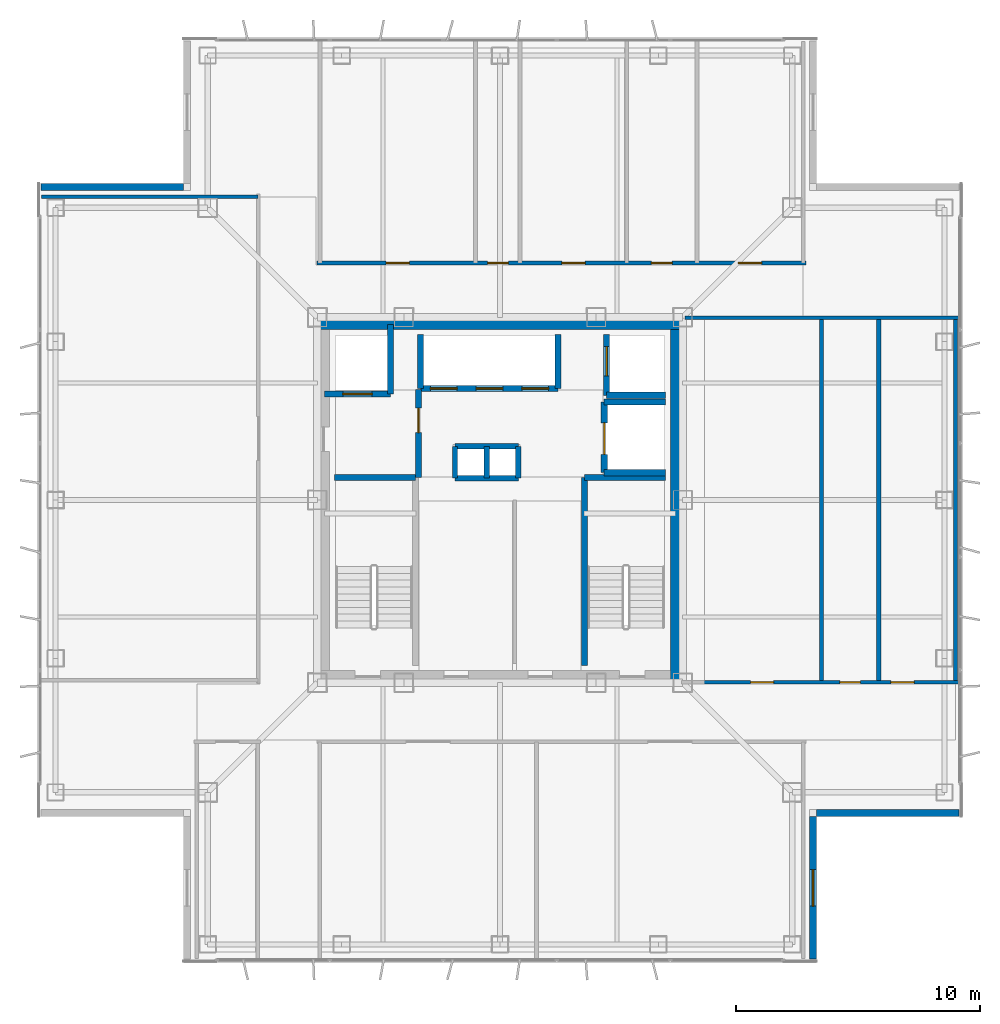
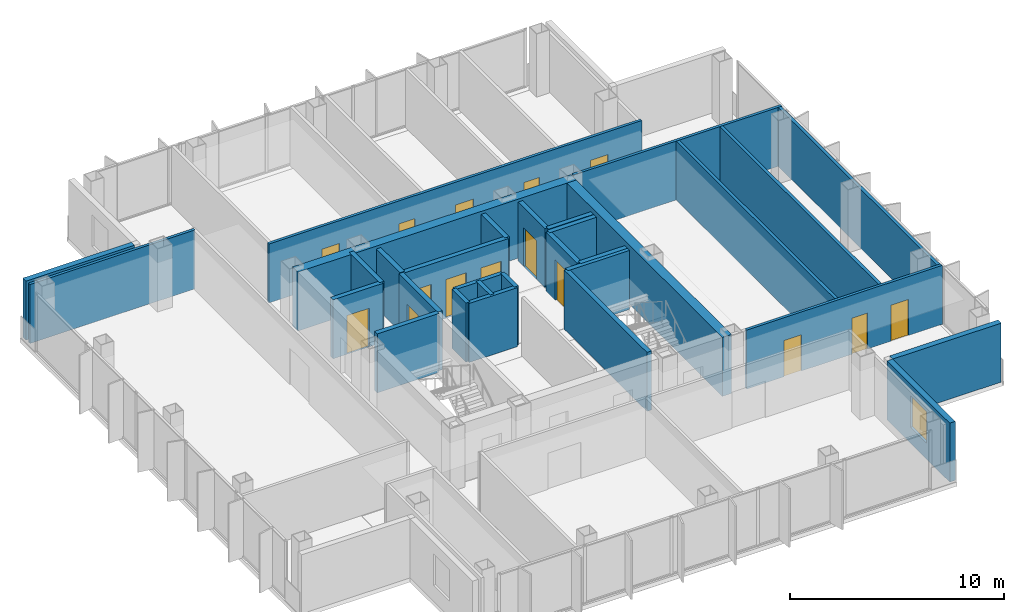
# One storey, part 8 of 15: 31 walls, 15 doors, 1 window, 16 openings.
"""IFC4 building model written with IfcOpenShell, lengths in metres."""

from ifc_helpers import new_model, si_unit, direction, frame, frame_2d, origin, place, context, subcontext, project, spatial, rectangle, extrude, material, layer, layer_set, type_object, element, fill, save


model = new_model("IFC4")

# Units and contexts
model_context = context("Model", 3, precision=1e-05, world=origin(), true_north=direction((0.0, 1.0)))
body_context = subcontext(model_context, "Body", "Model", "MODEL_VIEW")
ifc_project = project(units=[si_unit("LENGTHUNIT", "METRE"), si_unit("AREAUNIT", "SQUARE_METRE"), si_unit("VOLUMEUNIT", "CUBIC_METRE"), si_unit("PLANEANGLEUNIT", "RADIAN"), si_unit("MASSUNIT", "GRAM", prefix="KILO")], contexts=[model_context])

# Site, building, storey
site_placement = place(None, origin())
site = spatial("IfcSite", under=ifc_project, at=site_placement, CompositionType="ELEMENT")
building_placement = place(site_placement, origin())
building = spatial("IfcBuilding", under=site, at=building_placement, Name="Trevonay Congress Spire", CompositionType="ELEMENT")
storey_placement = place(building_placement, frame((0.0, 0.0, 272.0)))
storey = spatial("IfcBuildingStorey", under=building, at=storey_placement, Name="L71", CompositionType="ELEMENT", Elevation=272.0)

# Walls
ifc_material_1 = material(Name="Concrete C50/60", Category="concrete")
ifc_layer_1 = layer(ifc_material_1, 0.5, Name="Concrete C50/60")
ifc_layer_set_1 = layer_set([ifc_layer_1], Name="Concrete C50/60")
wall_type_1 = type_object("IfcWallType", Name="WAL-CORE-500", PredefinedType="SHEAR", material=ifc_layer_set_1)
for number, where, z_axis, x_axis, name in (
    (1, (-7.5, 7.25, 0.0), (0.0, 0.0, 1.0), (1.0, 0.0, 0.0), "L71 North structural core shear wall"),
    (2, (7.25, -7.5, 0.0), (0.0, 0.0, 1.0), (0.0, 1.0, 0.0), "L71 East structural core shear wall"),
):
    element("IfcWall", number, at=place(storey_placement, frame(where, z_axis=z_axis, x_axis=x_axis)), inside=storey, type_object=wall_type_1, Name=name, PredefinedType="SHEAR", context=body_context, shape_type="SweptSolid", body=[
        extrude(rectangle(XDim=15.0, YDim=0.5, at=frame_2d((7.5, 0.0))), origin(), (0.0, 0.0, 1.0), 3.360107421875),
    ])

# Wall, openings, doors
ifc_material_2 = material(Name="Concrete C40/50", Category="concrete")
ifc_layer_2 = layer(ifc_material_2, 0.14990234375, Name="Concrete C40/50")
ifc_layer_set_2 = layer_set([ifc_layer_2], Name="Concrete C40/50")
wall_type_2 = type_object("IfcWallType", Name="WAL-CORR-150", PredefinedType="PARTITIONING", material=ifc_layer_set_2)
wall_1_placement = place(storey_placement, frame((-7.52001953125, 9.72998046875, 0.0), z_axis=(0.0, 0.0, 1.0), x_axis=(1.0, 0.0, 0.0)))
wall_1 = element("IfcWall", 3, at=wall_1_placement, inside=storey, type_object=wall_type_2, Name="L71 interior wall WP-L71N-COR", PredefinedType="PARTITIONING", context=body_context, shape_type="SweptSolid", body=[
    extrude(rectangle(XDim=20.090087890625, YDim=0.14990234375, at=frame_2d((10.044921875, 0.0))), origin(), (0.0, 0.0, 1.0), 3.360107421875),
])
opening_1_placement = place(wall_1_placement, frame((2.844970703125, 0.0, 0.0)))
opening_1 = element("IfcOpeningElement", 4, at=opening_1_placement, cuts=wall_1, Name="Opening D07", PredefinedType="OPENING", context=body_context, shape_type="SweptSolid", body=[
    extrude(rectangle(XDim=0.949951171875, YDim=2.06005859375, at=frame_2d((0.47509765625, 1.030029296875))), frame((0.0, 0.0849609375, 0.0), z_axis=(0.0, -1.0, 0.0), x_axis=(1.0, 0.0, 0.0)), (0.0, 0.0, 1.0), 0.169921875),
])
opening_2_placement = place(wall_1_placement, frame((7.010009765625, 0.0, 0.0)))
opening_2 = element("IfcOpeningElement", 5, at=opening_2_placement, cuts=wall_1, Name="Opening D10", PredefinedType="OPENING", context=body_context, shape_type="SweptSolid", body=[
    extrude(rectangle(XDim=0.85009765625, YDim=2.050048828125, at=frame_2d((0.425048828125, 1.02490234375))), frame((0.0, 0.0849609375, 0.0), z_axis=(0.0, -1.0, 0.0), x_axis=(1.0, 0.0, 0.0)), (0.0, 0.0, 1.0), 0.169921875),
])
opening_3_placement = place(wall_1_placement, frame((10.06005859375, 0.0, 0.0)))
opening_3 = element("IfcOpeningElement", 6, at=opening_3_placement, cuts=wall_1, Name="Opening D07", PredefinedType="OPENING", context=body_context, shape_type="SweptSolid", body=[
    extrude(rectangle(XDim=0.949951171875, YDim=2.06005859375, at=frame_2d((0.47509765625, 1.030029296875))), frame((0.0, 0.0849609375, 0.0), z_axis=(0.0, -1.0, 0.0), x_axis=(1.0, 0.0, 0.0)), (0.0, 0.0, 1.0), 0.169921875),
])
opening_4_placement = place(wall_1_placement, frame((13.735107421875, 0.0, 0.0)))
opening_4 = element("IfcOpeningElement", 7, at=opening_4_placement, cuts=wall_1, Name="Opening D10", PredefinedType="OPENING", context=body_context, shape_type="SweptSolid", body=[
    extrude(rectangle(XDim=0.85009765625, YDim=2.050048828125, at=frame_2d((0.425048828125, 1.02490234375))), frame((0.0, 0.0849609375, 0.0), z_axis=(0.0, -1.0, 0.0), x_axis=(1.0, 0.0, 0.0)), (0.0, 0.0, 1.0), 0.169921875),
])
opening_5_placement = place(wall_1_placement, frame((17.31005859375, 0.0, 0.0)))
opening_5 = element("IfcOpeningElement", 8, at=opening_5_placement, cuts=wall_1, Name="Opening D07", PredefinedType="OPENING", context=body_context, shape_type="SweptSolid", body=[
    extrude(rectangle(XDim=0.949951171875, YDim=2.06005859375, at=frame_2d((0.47509765625, 1.030029296875))), frame((0.0, 0.0849609375, 0.0), z_axis=(0.0, -1.0, 0.0), x_axis=(1.0, 0.0, 0.0)), (0.0, 0.0, 1.0), 0.169921875),
])
ifc_material_3 = material(Name="Pale Anodised Aluminium EN AW-6063-T6", Category="aluminium")
door_type_1 = type_object("IfcDoorType", Name="DOR-OFFICE-95", OperationType="NOTDEFINED", PredefinedType="DOOR", material=ifc_material_3)
door_1_placement = place(opening_1_placement, origin())
door_1 = element("IfcDoor", 9, at=door_1_placement, inside=storey, type_object=door_type_1, Name="L71 North Sky Conservatory Lounge Door", OperationType="SINGLE_SWING_LEFT", OverallHeight=2.06005859375, OverallWidth=0.949951171875, PredefinedType="DOOR", context=body_context, shape_type="SweptSolid", body=[
    extrude(rectangle(XDim=0.949951171875, YDim=2.06005859375, at=frame_2d((0.47509765625, 1.030029296875))), frame((0.0, 0.02490234375, 0.0), z_axis=(0.0, -1.0, 0.0), x_axis=(1.0, 0.0, 0.0)), (0.0, 0.0, 1.0), 0.050048828125),
])
fill(opening_1, door_1)
door_2_placement = place(opening_3_placement, origin())
door_2 = element("IfcDoor", 10, at=door_2_placement, inside=storey, type_object=door_type_1, Name="L71 Floor Supplies and Copy Room Door", OperationType="SINGLE_SWING_LEFT", OverallHeight=2.06005859375, OverallWidth=0.949951171875, PredefinedType="DOOR", context=body_context, shape_type="SweptSolid", body=[
    extrude(rectangle(XDim=0.949951171875, YDim=2.06005859375, at=frame_2d((0.47509765625, 1.030029296875))), frame((0.0, 0.02490234375, 0.0), z_axis=(0.0, -1.0, 0.0), x_axis=(1.0, 0.0, 0.0)), (0.0, 0.0, 1.0), 0.050048828125),
])
fill(opening_3, door_2)
door_3_placement = place(opening_5_placement, origin())
door_3 = element("IfcDoor", 11, at=door_3_placement, inside=storey, type_object=door_type_1, Name="L71 Floor Supplies and Copy Room Door", OperationType="SINGLE_SWING_LEFT", OverallHeight=2.06005859375, OverallWidth=0.949951171875, PredefinedType="DOOR", context=body_context, shape_type="SweptSolid", body=[
    extrude(rectangle(XDim=0.949951171875, YDim=2.06005859375, at=frame_2d((0.47509765625, 1.030029296875))), frame((0.0, 0.02490234375, 0.0), z_axis=(0.0, -1.0, 0.0), x_axis=(1.0, 0.0, 0.0)), (0.0, 0.0, 1.0), 0.050048828125),
])
fill(opening_5, door_3)
door_type_2 = type_object("IfcDoorType", Name="DOR-WC-85", OperationType="NOTDEFINED", PredefinedType="DOOR", material=ifc_material_3)
door_4_placement = place(opening_2_placement, origin())
door_4 = element("IfcDoor", 12, at=door_4_placement, inside=storey, type_object=door_type_2, Name="L71 Accessible WC Door", OperationType="SINGLE_SWING_RIGHT", OverallHeight=2.050048828125, OverallWidth=0.85009765625, PredefinedType="DOOR", context=body_context, shape_type="SweptSolid", body=[
    extrude(rectangle(XDim=0.85009765625, YDim=2.050048828125, at=frame_2d((0.425048828125, 1.02490234375))), frame((0.0, 0.02490234375, 0.0), z_axis=(0.0, -1.0, 0.0), x_axis=(1.0, 0.0, 0.0)), (0.0, 0.0, 1.0), 0.050048828125),
])
fill(opening_2, door_4)
door_5_placement = place(opening_4_placement, origin())
door_5 = element("IfcDoor", 13, at=door_5_placement, inside=storey, type_object=door_type_2, Name="L71 Female Restroom WC Door", OperationType="SINGLE_SWING_RIGHT", OverallHeight=2.050048828125, OverallWidth=0.85009765625, PredefinedType="DOOR", context=body_context, shape_type="SweptSolid", body=[
    extrude(rectangle(XDim=0.85009765625, YDim=2.050048828125, at=frame_2d((0.425048828125, 1.02490234375))), frame((0.0, 0.02490234375, 0.0), z_axis=(0.0, -1.0, 0.0), x_axis=(1.0, 0.0, 0.0)), (0.0, 0.0, 1.0), 0.050048828125),
])
fill(opening_4, door_5)

wall_2_placement = place(storey_placement, frame((8.280029296875, -7.47998046875, 0.0), z_axis=(0.0, 0.0, 1.0), x_axis=(1.0, 0.0, 0.0)))
wall_2 = element("IfcWall", 14, at=wall_2_placement, inside=storey, type_object=wall_type_2, Name="L71 interior wall WP-L71E-COR", PredefinedType="PARTITIONING", context=body_context, shape_type="SweptSolid", body=[
    extrude(rectangle(XDim=10.5400390625, YDim=0.14990234375, at=frame_2d((5.27001953125, 0.0))), origin(), (0.0, 0.0, 1.0), 3.360107421875),
])
opening_6_placement = place(wall_2_placement, frame((2.0048828125, 0.0, 0.0)))
opening_6 = element("IfcOpeningElement", 15, at=opening_6_placement, cuts=wall_2, Name="Opening D07", PredefinedType="OPENING", context=body_context, shape_type="SweptSolid", body=[
    extrude(rectangle(XDim=0.949951171875, YDim=2.06005859375, at=frame_2d((0.47509765625, 1.030029296875))), frame((0.0, 0.0849609375, 0.0), z_axis=(0.0, -1.0, 0.0), x_axis=(1.0, 0.0, 0.0)), (0.0, 0.0, 1.0), 0.169921875),
])
opening_7_placement = place(wall_2_placement, frame((5.669921875, 0.0, 0.0)))
opening_7 = element("IfcOpeningElement", 16, at=opening_7_placement, cuts=wall_2, Name="Opening D10", PredefinedType="OPENING", context=body_context, shape_type="SweptSolid", body=[
    extrude(rectangle(XDim=0.85009765625, YDim=2.050048828125, at=frame_2d((0.425048828125, 1.02490234375))), frame((0.0, 0.0849609375, 0.0), z_axis=(0.0, -1.0, 0.0), x_axis=(1.0, 0.0, 0.0)), (0.0, 0.0, 1.0), 0.169921875),
])
opening_8_placement = place(wall_2_placement, frame((7.77001953125, 0.0, 0.0)))
opening_8 = element("IfcOpeningElement", 17, at=opening_8_placement, cuts=wall_2, Name="Opening D07", PredefinedType="OPENING", context=body_context, shape_type="SweptSolid", body=[
    extrude(rectangle(XDim=0.949951171875, YDim=2.06005859375, at=frame_2d((0.47509765625, 1.030029296875))), frame((0.0, 0.0849609375, 0.0), z_axis=(0.0, -1.0, 0.0), x_axis=(1.0, 0.0, 0.0)), (0.0, 0.0, 1.0), 0.169921875),
])
door_6_placement = place(opening_6_placement, origin())
door_6 = element("IfcDoor", 18, at=door_6_placement, inside=storey, type_object=door_type_1, Name="L71 Curatorial Archive Office Door", OperationType="SINGLE_SWING_RIGHT", OverallHeight=2.06005859375, OverallWidth=0.949951171875, PredefinedType="DOOR", context=body_context, shape_type="SweptSolid", body=[
    extrude(rectangle(XDim=0.949951171875, YDim=2.06005859375, at=frame_2d((0.47509765625, 1.030029296875))), frame((0.0, 0.02490234375, 0.0), z_axis=(0.0, -1.0, 0.0), x_axis=(1.0, 0.0, 0.0)), (0.0, 0.0, 1.0), 0.050048828125),
])
fill(opening_6, door_6)
door_7_placement = place(opening_8_placement, origin())
door_7 = element("IfcDoor", 19, at=door_7_placement, inside=storey, type_object=door_type_1, Name="L71 Floor Supplies and Copy Room Door", OperationType="SINGLE_SWING_RIGHT", OverallHeight=2.06005859375, OverallWidth=0.949951171875, PredefinedType="DOOR", context=body_context, shape_type="SweptSolid", body=[
    extrude(rectangle(XDim=0.949951171875, YDim=2.06005859375, at=frame_2d((0.47509765625, 1.030029296875))), frame((0.0, 0.02490234375, 0.0), z_axis=(0.0, -1.0, 0.0), x_axis=(1.0, 0.0, 0.0)), (0.0, 0.0, 1.0), 0.050048828125),
])
fill(opening_8, door_7)
door_8_placement = place(opening_7_placement, origin())
door_8 = element("IfcDoor", 20, at=door_8_placement, inside=storey, type_object=door_type_2, Name="L71 Male Restroom WC Door", OperationType="SINGLE_SWING_LEFT", OverallHeight=2.050048828125, OverallWidth=0.85009765625, PredefinedType="DOOR", context=body_context, shape_type="SweptSolid", body=[
    extrude(rectangle(XDim=0.85009765625, YDim=2.050048828125, at=frame_2d((0.425048828125, 1.02490234375))), frame((0.0, 0.02490234375, 0.0), z_axis=(0.0, -1.0, 0.0), x_axis=(1.0, 0.0, 0.0)), (0.0, 0.0, 1.0), 0.050048828125),
])
fill(opening_7, door_8)

# Wall, opening, window
ifc_material_4 = material(Name="Precast concrete C40/50", Category="concrete")
ifc_layer_3 = layer(ifc_material_4, 0.300048828125, Name="Precast concrete C40/50")
ifc_layer_set_3 = layer_set([ifc_layer_3], Name="Precast concrete C40/50")
wall_type_3 = type_object("IfcWallType", Name="WAL-EXT-PRECAST-300", PredefinedType="SOLIDWALL", material=ifc_layer_set_3)
wall_3_placement = place(storey_placement, frame((12.85009765625, -18.85009765625, 0.0), z_axis=(0.0, 0.0, 1.0), x_axis=(0.0, 1.0, 0.0)))
wall_3 = element("IfcWall", 21, at=wall_3_placement, inside=storey, type_object=wall_type_3, Name="L71 SE re-entrant notch exterior wall 1", PredefinedType="SOLIDWALL", context=body_context, shape_type="SweptSolid", body=[
    extrude(rectangle(XDim=5.85009765625, YDim=0.300048828125, at=frame_2d((2.925048828125, 0.0))), origin(), (0.0, 0.0, 1.0), 3.360107421875),
])
opening_9_placement = place(wall_3_placement, frame((2.175048828125, 0.0, 0.89990234375)))
opening_9 = element("IfcOpeningElement", 22, at=opening_9_placement, cuts=wall_3, Name="Opening WN03", PredefinedType="OPENING", context=body_context, shape_type="SweptSolid", body=[
    extrude(rectangle(XDim=1.5, YDim=1.800048828125, at=frame_2d((0.75, 0.89990234375))), frame((0.0, 0.16015625, 0.0), z_axis=(0.0, -1.0, 0.0), x_axis=(1.0, 0.0, 0.0)), (0.0, 0.0, 1.0), 0.320068359375),
])
ifc_material_5 = material(Name="Insulated Low-E Vision Glass IGU", Category="glass")
window_type = type_object("IfcWindowType", Name="WIN-NOTCH-150X180", PartitioningType="SINGLE_PANEL", PredefinedType="WINDOW", material=ifc_material_5)
window_placement = place(opening_9_placement, origin())
window = element("IfcWindow", 23, at=window_placement, inside=storey, type_object=window_type, Name="L71 SE corner notch window", OverallHeight=1.800048828125, OverallWidth=1.5, PartitioningType="SINGLE_PANEL", PredefinedType="WINDOW", context=body_context, shape_type="SweptSolid", body=[
    extrude(rectangle(XDim=1.5, YDim=1.800048828125, at=frame_2d((0.75, 0.89990234375))), frame((0.0, 0.030029296875, 0.0), z_axis=(0.0, -1.0, 0.0), x_axis=(1.0, 0.0, 0.0)), (0.0, 0.0, 1.0), 0.06005859375),
])
fill(opening_9, window)

# Walls
for number, where, z_axis, x_axis, name in (
    (24, (18.85009765625, -12.85009765625, 0.0), (0.0, 0.0, 1.0), (-1.0, 0.0, 0.0), "L71 SE re-entrant notch exterior wall 2"),
    (25, (-18.85009765625, 12.85009765625, 0.0), (0.0, 0.0, 1.0), (1.0, 0.0, 0.0), "L71 NW re-entrant notch exterior wall 2"),
):
    element("IfcWall", number, at=place(storey_placement, frame(where, z_axis=z_axis, x_axis=x_axis)), inside=storey, type_object=wall_type_3, Name=name, PredefinedType="SOLIDWALL", context=body_context, shape_type="SweptSolid", body=[
        extrude(rectangle(XDim=5.85009765625, YDim=0.300048828125, at=frame_2d((2.925048828125, 0.0))), origin(), (0.0, 0.0, 1.0), 3.360107421875),
    ])
ifc_layer_4 = layer(ifc_material_2, 0.14990234375, Name="Concrete C40/50")
ifc_layer_set_4 = layer_set([ifc_layer_4], Name="Concrete C40/50")
wall_type_4 = type_object("IfcWallType", Name="WAL-PART-150", PredefinedType="PARTITIONING", material=ifc_layer_set_4)
wall_4_placement = place(storey_placement, frame((-18.820068359375, 12.449951171875, 0.0), z_axis=(0.0, 0.0, 1.0), x_axis=(1.0, 0.0, 0.0)))
element("IfcWall", 26, at=wall_4_placement, inside=storey, type_object=wall_type_4, Name="L71 interior wall WP-L71NW-DIV2", PredefinedType="PARTITIONING", context=body_context, shape_type="SweptSolid", body=[
    extrude(rectangle(XDim=8.89013671875, YDim=0.14990234375, at=frame_2d((4.445068359375, 0.0))), origin(), (0.0, 0.0, 1.0), 3.360107421875),
])
wall_5_placement = place(storey_placement, frame((7.60009765625, 7.47998046875, 0.0), z_axis=(0.0, 0.0, 1.0), x_axis=(1.0, 0.0, 0.0)))
element("IfcWall", 27, at=wall_5_placement, inside=storey, type_object=wall_type_4, Name="L71 interior wall WP-L71E-NCLS", PredefinedType="PARTITIONING", context=body_context, shape_type="SweptSolid", body=[
    extrude(rectangle(XDim=11.219970703125, YDim=0.14990234375, at=frame_2d((5.60986328125, 0.0))), origin(), (0.0, 0.0, 1.0), 3.360107421875),
])
ifc_layer_5 = layer(ifc_material_2, 0.219970703125, Name="Concrete C40/50")
ifc_layer_set_5 = layer_set([ifc_layer_5], Name="Concrete C40/50")
wall_type_5 = type_object("IfcWallType", Name="WAL-SHAFT-220", PredefinedType="PARTITIONING", material=ifc_layer_set_5)
for number, where, z_axis, x_axis, name in (
    (28, (-1.85009765625, 2.199951171875, 0.0), (0.0, 0.0, 1.0), (1.0, 0.0, 0.0), "L71 interior shaft wall WSH-L71-RSR-N"),
    (29, (-1.85009765625, 0.89990234375, 0.0), (0.0, 0.0, 1.0), (1.0, 0.0, 0.0), "L71 interior shaft wall WSH-L71-RSR-S"),
):
    element("IfcWall", number, at=place(storey_placement, frame(where, z_axis=z_axis, x_axis=x_axis)), inside=storey, type_object=wall_type_5, Name=name, PredefinedType="PARTITIONING", context=body_context, shape_type="SweptSolid", body=[
        extrude(rectangle(XDim=2.60009765625, YDim=0.219970703125, at=frame_2d((1.300048828125, 0.0))), origin(), (0.0, 0.0, 1.0), 3.360107421875),
    ])
for number, where, z_axis, x_axis, name in (
    (30, (-0.550048828125, 0.89990234375, 0.0), (0.0, 0.0, 1.0), (0.0, 1.0, 0.0), "L71 interior shaft wall WSH-L71-RSR-M"),
    (31, (0.75, 0.89990234375, 0.0), (0.0, 0.0, 1.0), (0.0, 1.0, 0.0), "L71 interior shaft wall WSH-L71-RSR-E"),
    (32, (-1.85009765625, 0.89990234375, 0.0), (0.0, 0.0, 1.0), (0.0, 1.0, 0.0), "L71 interior shaft wall WSH-L71-RSR-W"),
):
    element("IfcWall", number, at=place(storey_placement, frame(where, z_axis=z_axis, x_axis=x_axis)), inside=storey, type_object=wall_type_5, Name=name, PredefinedType="PARTITIONING", context=body_context, shape_type="SweptSolid", body=[
        extrude(rectangle(XDim=1.300048828125, YDim=0.219970703125, at=frame_2d((0.64990234375, 0.0))), origin(), (0.0, 0.0, 1.0), 3.360107421875),
    ])

# Wall, openings, doors
ifc_layer_6 = layer(ifc_material_2, 0.25, Name="Concrete C40/50")
ifc_layer_set_6 = layer_set([ifc_layer_6], Name="Concrete C40/50")
wall_type_6 = type_object("IfcWallType", Name="WAL-SHAFT-250", PredefinedType="SHEAR", material=ifc_layer_set_6)
wall_6_placement = place(storey_placement, frame((-3.260009765625, 4.580078125, 0.0), z_axis=(0.0, 0.0, 1.0), x_axis=(1.0, 0.0, 0.0)))
wall_6 = element("IfcWall", 33, at=wall_6_placement, inside=storey, type_object=wall_type_6, Name="L71 interior shaft wall WSH-L71-B3-S", PredefinedType="SHEAR", context=body_context, shape_type="SweptSolid", body=[
    extrude(rectangle(XDim=5.639892578125, YDim=0.25, at=frame_2d((2.81982421875, 0.0))), origin(), (0.0, 0.0, 1.0), 3.360107421875),
])
opening_10_placement = place(wall_6_placement, frame((0.39990234375, 0.0, 0.0)))
opening_10 = element("IfcOpeningElement", 34, at=opening_10_placement, cuts=wall_6, Name="Opening LD03", PredefinedType="OPENING", context=body_context, shape_type="SweptSolid", body=[
    extrude(rectangle(XDim=1.10009765625, YDim=2.199951171875, at=frame_2d((0.550048828125, 1.10009765625))), frame((0.0, 0.135009765625, 0.0), z_axis=(0.0, -1.0, 0.0), x_axis=(1.0, 0.0, 0.0)), (0.0, 0.0, 1.0), 0.27001953125),
])
opening_11_placement = place(wall_6_placement, frame((2.280029296875, 0.0, 0.0)))
opening_11 = element("IfcOpeningElement", 35, at=opening_11_placement, cuts=wall_6, Name="Opening LD03", PredefinedType="OPENING", context=body_context, shape_type="SweptSolid", body=[
    extrude(rectangle(XDim=1.10009765625, YDim=2.199951171875, at=frame_2d((0.550048828125, 1.10009765625))), frame((0.0, 0.135009765625, 0.0), z_axis=(0.0, -1.0, 0.0), x_axis=(1.0, 0.0, 0.0)), (0.0, 0.0, 1.0), 0.27001953125),
])
opening_12_placement = place(wall_6_placement, frame((4.159912109375, 0.0, 0.0)))
opening_12 = element("IfcOpeningElement", 36, at=opening_12_placement, cuts=wall_6, Name="Opening LD03", PredefinedType="OPENING", context=body_context, shape_type="SweptSolid", body=[
    extrude(rectangle(XDim=1.10009765625, YDim=2.199951171875, at=frame_2d((0.550048828125, 1.10009765625))), frame((0.0, 0.135009765625, 0.0), z_axis=(0.0, -1.0, 0.0), x_axis=(1.0, 0.0, 0.0)), (0.0, 0.0, 1.0), 0.27001953125),
])
door_type_3 = type_object("IfcDoorType", Name="DOR-LIFT-LD03", OperationType="DOUBLE_DOOR_SLIDING", PredefinedType="DOOR", material=ifc_material_3)
door_9_placement = place(opening_10_placement, origin())
door_9 = element("IfcDoor", 37, at=door_9_placement, inside=storey, type_object=door_type_3, Name="L71 Passenger lift PL-07 landing door", OperationType="DOUBLE_DOOR_SLIDING", OverallHeight=2.199951171875, OverallWidth=1.10009765625, PredefinedType="DOOR", context=body_context, shape_type="SweptSolid", body=[
    extrude(rectangle(XDim=1.10009765625, YDim=2.199951171875, at=frame_2d((0.550048828125, 1.10009765625))), frame((0.0, 0.02490234375, 0.0), z_axis=(0.0, -1.0, 0.0), x_axis=(1.0, 0.0, 0.0)), (0.0, 0.0, 1.0), 0.050048828125),
])
fill(opening_10, door_9)
door_10_placement = place(opening_11_placement, origin())
door_10 = element("IfcDoor", 38, at=door_10_placement, inside=storey, type_object=door_type_3, Name="L71 Passenger lift PL-08 landing door", OperationType="DOUBLE_DOOR_SLIDING", OverallHeight=2.199951171875, OverallWidth=1.10009765625, PredefinedType="DOOR", context=body_context, shape_type="SweptSolid", body=[
    extrude(rectangle(XDim=1.10009765625, YDim=2.199951171875, at=frame_2d((0.550048828125, 1.10009765625))), frame((0.0, 0.02490234375, 0.0), z_axis=(0.0, -1.0, 0.0), x_axis=(1.0, 0.0, 0.0)), (0.0, 0.0, 1.0), 0.050048828125),
])
fill(opening_11, door_10)
door_11_placement = place(opening_12_placement, origin())
door_11 = element("IfcDoor", 39, at=door_11_placement, inside=storey, type_object=door_type_3, Name="L71 Passenger lift PL-09 landing door", OperationType="DOUBLE_DOOR_SLIDING", OverallHeight=2.199951171875, OverallWidth=1.10009765625, PredefinedType="DOOR", context=body_context, shape_type="SweptSolid", body=[
    extrude(rectangle(XDim=1.10009765625, YDim=2.199951171875, at=frame_2d((0.550048828125, 1.10009765625))), frame((0.0, 0.02490234375, 0.0), z_axis=(0.0, -1.0, 0.0), x_axis=(1.0, 0.0, 0.0)), (0.0, 0.0, 1.0), 0.050048828125),
])
fill(opening_12, door_11)

# Walls
for number, where, z_axis, x_axis, name in (
    (40, (-3.260009765625, 4.580078125, 0.0), (0.0, 0.0, 1.0), (0.0, 1.0, 0.0), "L71 interior shaft wall WSH-L71-B3-W"),
    (41, (2.3798828125, 4.580078125, 0.0), (0.0, 0.0, 1.0), (0.0, 1.0, 0.0), "L71 interior shaft wall WSH-L71-B3-E"),
):
    element("IfcWall", number, at=place(storey_placement, frame(where, z_axis=z_axis, x_axis=x_axis)), inside=storey, type_object=wall_type_6, Name=name, PredefinedType="SHEAR", context=body_context, shape_type="SweptSolid", body=[
        extrude(rectangle(XDim=2.219970703125, YDim=0.25, at=frame_2d((1.10986328125, 0.0))), origin(), (0.0, 0.0, 1.0), 3.360107421875),
    ])

# Wall, opening, door
wall_7_placement = place(storey_placement, frame((-7.199951171875, 4.35009765625, 0.0), z_axis=(0.0, 0.0, 1.0), x_axis=(1.0, 0.0, 0.0)))
wall_7 = element("IfcWall", 42, at=wall_7_placement, inside=storey, type_object=wall_type_6, Name="L71 interior shaft wall WSH-L71-FF1-S", PredefinedType="SHEAR", context=body_context, shape_type="SweptSolid", body=[
    extrude(rectangle(XDim=2.699951171875, YDim=0.25, at=frame_2d((1.35009765625, 0.0))), origin(), (0.0, 0.0, 1.0), 3.360107421875),
])
opening_13_placement = place(wall_7_placement, frame((0.75, 0.0, 0.0)))
opening_13 = element("IfcOpeningElement", 43, at=opening_13_placement, cuts=wall_7, Name="Opening LD04", PredefinedType="OPENING", context=body_context, shape_type="SweptSolid", body=[
    extrude(rectangle(XDim=1.199951171875, YDim=2.199951171875, at=frame_2d((0.60009765625, 1.10009765625))), frame((0.0, 0.135009765625, 0.0), z_axis=(0.0, -1.0, 0.0), x_axis=(1.0, 0.0, 0.0)), (0.0, 0.0, 1.0), 0.27001953125),
])
ifc_material_6 = material(Name="Steel ASTM A572 Grade 50", Category="steel")
door_type_4 = type_object("IfcDoorType", Name="DOR-LIFT-LD04", OperationType="DOUBLE_DOOR_SLIDING", PredefinedType="DOOR", material=ifc_material_6)
door_12_placement = place(opening_13_placement, origin())
door_12 = element("IfcDoor", 44, at=door_12_placement, inside=storey, type_object=door_type_4, Name="L71 Firefighting lift FFL-01 landing door", OperationType="DOUBLE_DOOR_SLIDING", OverallHeight=2.199951171875, OverallWidth=1.199951171875, PredefinedType="DOOR", context=body_context, shape_type="SweptSolid", body=[
    extrude(rectangle(XDim=1.199951171875, YDim=2.199951171875, at=frame_2d((0.60009765625, 1.10009765625))), frame((0.0, 0.02490234375, 0.0), z_axis=(0.0, -1.0, 0.0), x_axis=(1.0, 0.0, 0.0)), (0.0, 0.0, 1.0), 0.050048828125),
])
fill(opening_13, door_12)

# Walls
wall_8_placement = place(storey_placement, frame((-4.5, 4.35009765625, 0.0), z_axis=(0.0, 0.0, 1.0), x_axis=(0.0, 1.0, 0.0)))
element("IfcWall", 45, at=wall_8_placement, inside=storey, type_object=wall_type_6, Name="L71 interior shaft wall WSH-L71-FF1-E", PredefinedType="SHEAR", context=body_context, shape_type="SweptSolid", body=[
    extrude(rectangle(XDim=2.849853515625, YDim=0.25, at=frame_2d((1.4248046875, 0.0))), origin(), (0.0, 0.0, 1.0), 3.360107421875),
])
wall_9_placement = place(storey_placement, frame((4.3798828125, 4.300048828125, 0.0), z_axis=(0.0, 0.0, 1.0), x_axis=(1.0, 0.0, 0.0)))
element("IfcWall", 46, at=wall_9_placement, inside=storey, type_object=wall_type_6, Name="L71 interior shaft wall WSH-L71-FF2-S", PredefinedType="SHEAR", context=body_context, shape_type="SweptSolid", body=[
    extrude(rectangle(XDim=2.420166015625, YDim=0.25, at=frame_2d((1.2099609375, 0.0))), origin(), (0.0, 0.0, 1.0), 3.360107421875),
])

# Wall, opening, door
wall_10_placement = place(storey_placement, frame((4.3798828125, 4.300048828125, 0.0), z_axis=(0.0, 0.0, 1.0), x_axis=(0.0, 1.0, 0.0)))
wall_10 = element("IfcWall", 47, at=wall_10_placement, inside=storey, type_object=wall_type_6, Name="L71 interior shaft wall WSH-L71-FF2-W", PredefinedType="SHEAR", context=body_context, shape_type="SweptSolid", body=[
    extrude(rectangle(XDim=2.5, YDim=0.25, at=frame_2d((1.25, 0.0))), origin(), (0.0, 0.0, 1.0), 3.360107421875),
])
opening_14_placement = place(wall_10_placement, frame((0.800048828125, 0.0, 0.0)))
opening_14 = element("IfcOpeningElement", 48, at=opening_14_placement, cuts=wall_10, Name="Opening LD04", PredefinedType="OPENING", context=body_context, shape_type="SweptSolid", body=[
    extrude(rectangle(XDim=1.199951171875, YDim=2.199951171875, at=frame_2d((0.60009765625, 1.10009765625))), frame((0.0, 0.135009765625, 0.0), z_axis=(0.0, -1.0, 0.0), x_axis=(1.0, 0.0, 0.0)), (0.0, 0.0, 1.0), 0.27001953125),
])
door_13_placement = place(opening_14_placement, origin())
door_13 = element("IfcDoor", 49, at=door_13_placement, inside=storey, type_object=door_type_4, Name="L71 Firefighting lift FFL-02 landing door", OperationType="DOUBLE_DOOR_SLIDING", OverallHeight=2.199951171875, OverallWidth=1.199951171875, PredefinedType="DOOR", context=body_context, shape_type="SweptSolid", body=[
    extrude(rectangle(XDim=1.199951171875, YDim=2.199951171875, at=frame_2d((0.60009765625, 1.10009765625))), frame((0.0, 0.02490234375, 0.0), z_axis=(0.0, -1.0, 0.0), x_axis=(1.0, 0.0, 0.0)), (0.0, 0.0, 1.0), 0.050048828125),
])
fill(opening_14, door_13)

wall_11_placement = place(storey_placement, frame((4.280029296875, 1.1201171875, 0.0), z_axis=(0.0, 0.0, 1.0), x_axis=(0.0, 1.0, 0.0)))
wall_11 = element("IfcWall", 50, at=wall_11_placement, inside=storey, type_object=wall_type_6, Name="L71 interior shaft wall WSH-L71-SV-W", PredefinedType="SHEAR", context=body_context, shape_type="SweptSolid", body=[
    extrude(rectangle(XDim=2.89990234375, YDim=0.25, at=frame_2d((1.449951171875, 0.0))), origin(), (0.0, 0.0, 1.0), 3.360107421875),
])
opening_15_placement = place(wall_11_placement, frame((0.75, 0.0, 0.0)))
opening_15 = element("IfcOpeningElement", 51, at=opening_15_placement, cuts=wall_11, Name="Opening LD05", PredefinedType="OPENING", context=body_context, shape_type="SweptSolid", body=[
    extrude(rectangle(XDim=1.300048828125, YDim=2.300048828125, at=frame_2d((0.64990234375, 1.14990234375))), frame((0.0, 0.135009765625, 0.0), z_axis=(0.0, -1.0, 0.0), x_axis=(1.0, 0.0, 0.0)), (0.0, 0.0, 1.0), 0.27001953125),
])
door_type_5 = type_object("IfcDoorType", Name="DOR-LIFT-LD05", OperationType="DOUBLE_DOOR_SLIDING", PredefinedType="DOOR", material=ifc_material_6)
door_14_placement = place(opening_15_placement, origin())
door_14 = element("IfcDoor", 52, at=door_14_placement, inside=storey, type_object=door_type_5, Name="L71 Goods lift SVL-01 landing door", OperationType="DOUBLE_DOOR_SLIDING", OverallHeight=2.300048828125, OverallWidth=1.300048828125, PredefinedType="DOOR", context=body_context, shape_type="SweptSolid", body=[
    extrude(rectangle(XDim=1.300048828125, YDim=2.300048828125, at=frame_2d((0.64990234375, 1.14990234375))), frame((0.0, 0.02490234375, 0.0), z_axis=(0.0, -1.0, 0.0), x_axis=(1.0, 0.0, 0.0)), (0.0, 0.0, 1.0), 0.050048828125),
])
fill(opening_15, door_14)

# Walls
for number, where, z_axis, x_axis, name in (
    (53, (4.280029296875, 1.1201171875, 0.0), (0.0, 0.0, 1.0), (1.0, 0.0, 0.0), "L71 interior shaft wall WSH-L71-SV-S"),
    (54, (4.280029296875, 4.02001953125, 0.0), (0.0, 0.0, 1.0), (1.0, 0.0, 0.0), "L71 interior shaft wall WSH-L71-SV-N"),
):
    element("IfcWall", number, at=place(storey_placement, frame(where, z_axis=z_axis, x_axis=x_axis)), inside=storey, type_object=wall_type_6, Name=name, PredefinedType="SHEAR", context=body_context, shape_type="SweptSolid", body=[
        extrude(rectangle(XDim=2.52001953125, YDim=0.25, at=frame_2d((1.260009765625, 0.0))), origin(), (0.0, 0.0, 1.0), 3.360107421875),
    ])

# Wall, opening, door
wall_12_placement = place(storey_placement, frame((-3.35009765625, 0.919921875, 0.0), z_axis=(0.0, 0.0, 1.0), x_axis=(0.0, 1.0, 0.0)))
wall_12 = element("IfcWall", 55, at=wall_12_placement, inside=storey, type_object=wall_type_6, Name="L71 interior wall CW-FFLW-E-L71", PredefinedType="SHEAR", context=body_context, shape_type="SweptSolid", body=[
    extrude(rectangle(XDim=3.6201171875, YDim=0.25, at=frame_2d((1.81005859375, 0.0))), origin(), (0.0, 0.0, 1.0), 3.360107421875),
])
opening_16_placement = place(wall_12_placement, frame((1.85009765625, 0.0, 0.0)))
opening_16 = element("IfcOpeningElement", 56, at=opening_16_placement, cuts=wall_12, Name="Opening D06", PredefinedType="OPENING", context=body_context, shape_type="SweptSolid", body=[
    extrude(rectangle(XDim=1.0, YDim=2.080078125, at=frame_2d((0.5, 1.0400390625))), frame((0.0, 0.135009765625, 0.0), z_axis=(0.0, -1.0, 0.0), x_axis=(1.0, 0.0, 0.0)), (0.0, 0.0, 1.0), 0.27001953125),
])
door_type_6 = type_object("IfcDoorType", Name="DOR-FIRE-100", OperationType="NOTDEFINED", PredefinedType="DOOR", material=ifc_material_6)
door_15_placement = place(opening_16_placement, origin())
door_15 = element("IfcDoor", 57, at=door_15_placement, inside=storey, type_object=door_type_6, Name="L71 Firefighting Core Lobby Transfer Door", OperationType="SINGLE_SWING_LEFT", OverallHeight=2.080078125, OverallWidth=1.0, PredefinedType="DOOR", context=body_context, shape_type="SweptSolid", body=[
    extrude(rectangle(XDim=1.0, YDim=2.080078125, at=frame_2d((0.5, 1.0400390625))), frame((0.0, 0.02490234375, 0.0), z_axis=(0.0, -1.0, 0.0), x_axis=(1.0, 0.0, 0.0)), (0.0, 0.0, 1.0), 0.050048828125),
])
fill(opening_16, door_15)

# Walls
ifc_layer_7 = layer(ifc_material_2, 0.25, Name="Concrete C40/50")
ifc_layer_set_7 = layer_set([ifc_layer_7], Name="Concrete C40/50")
wall_type_7 = type_object("IfcWallType", Name="WAL-SHAFT-LB-250", PredefinedType="SHEAR", material=ifc_layer_set_7)
wall_13_placement = place(storey_placement, frame((-6.800048828125, 0.919921875, 0.0), z_axis=(0.0, 0.0, 1.0), x_axis=(1.0, 0.0, 0.0)))
element("IfcWall", 58, at=wall_13_placement, inside=storey, type_object=wall_type_7, Name="L71 interior shaft wall WSH-L71-ST1-N", PredefinedType="SHEAR", context=body_context, shape_type="SweptSolid", body=[
    extrude(rectangle(XDim=3.330078125, YDim=0.25, at=frame_2d((1.6650390625, 0.0))), origin(), (0.0, 0.0, 1.0), 3.360107421875),
])
wall_14_placement = place(storey_placement, frame((3.469970703125, -6.800048828125, 0.0), z_axis=(0.0, 0.0, 1.0), x_axis=(0.0, 1.0, 0.0)))
element("IfcWall", 59, at=wall_14_placement, inside=storey, type_object=wall_type_7, Name="L71 interior shaft wall WSH-L71-ST2-W", PredefinedType="SHEAR", context=body_context, shape_type="SweptSolid", body=[
    extrude(rectangle(XDim=7.719970703125, YDim=0.25, at=frame_2d((3.85986328125, 0.0))), origin(), (0.0, 0.0, 1.0), 3.360107421875),
])
wall_15_placement = place(storey_placement, frame((3.469970703125, 0.919921875, 0.0), z_axis=(0.0, 0.0, 1.0), x_axis=(1.0, 0.0, 0.0)))
element("IfcWall", 60, at=wall_15_placement, inside=storey, type_object=wall_type_7, Name="L71 interior shaft wall WSH-L71-ST2-N", PredefinedType="SHEAR", context=body_context, shape_type="SweptSolid", body=[
    extrude(rectangle(XDim=3.330078125, YDim=0.25, at=frame_2d((1.6650390625, 0.0))), origin(), (0.0, 0.0, 1.0), 3.360107421875),
])
ifc_layer_8 = layer(ifc_material_2, 0.1650390625, Name="Concrete C40/50")
ifc_layer_set_8 = layer_set([ifc_layer_8], Name="Concrete C40/50")
wall_type_8 = type_object("IfcWallType", Name="WAL-WET-165", PredefinedType="PLUMBINGWALL", material=ifc_layer_set_8)
for number, where, z_axis, x_axis, name in (
    (61, (15.550048828125, -7.47998046875, 0.0), (0.0, 0.0, 1.0), (0.0, 1.0, 0.0), "L71 interior wall WP-L71E-WCS2"),
    (62, (13.199951171875, -7.47998046875, 0.0), (0.0, 0.0, 1.0), (0.0, 1.0, 0.0), "L71 interior wall WP-L71E-DIV1"),
    (63, (18.699951171875, -7.47998046875, 0.0), (0.0, 0.0, 1.0), (0.0, 1.0, 0.0), "L71 interior wall WP-L71E-DIV2"),
):
    element("IfcWall", number, at=place(storey_placement, frame(where, z_axis=z_axis, x_axis=x_axis)), inside=storey, type_object=wall_type_8, Name=name, PredefinedType="PLUMBINGWALL", context=body_context, shape_type="SweptSolid", body=[
        extrude(rectangle(XDim=14.89990234375, YDim=0.1650390625, at=frame_2d((7.449951171875, 0.0))), origin(), (0.0, 0.0, 1.0), 3.360107421875),
    ])

save(model, "model.ifc")
